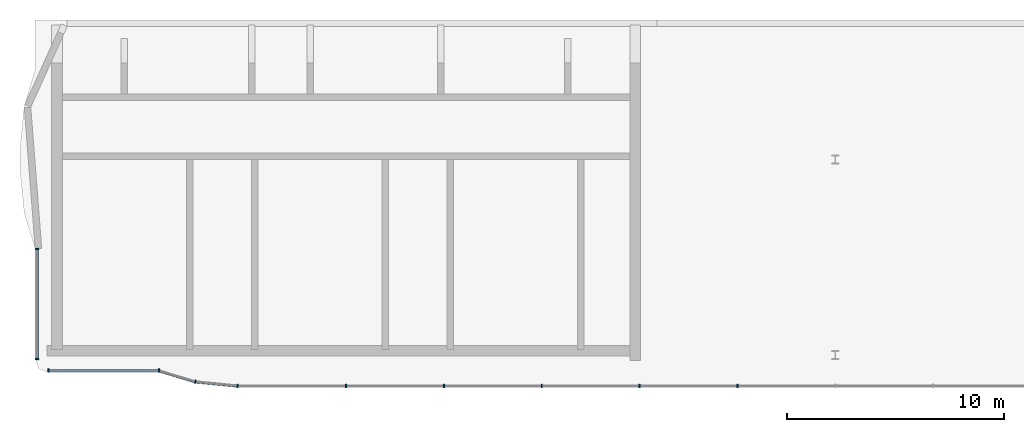
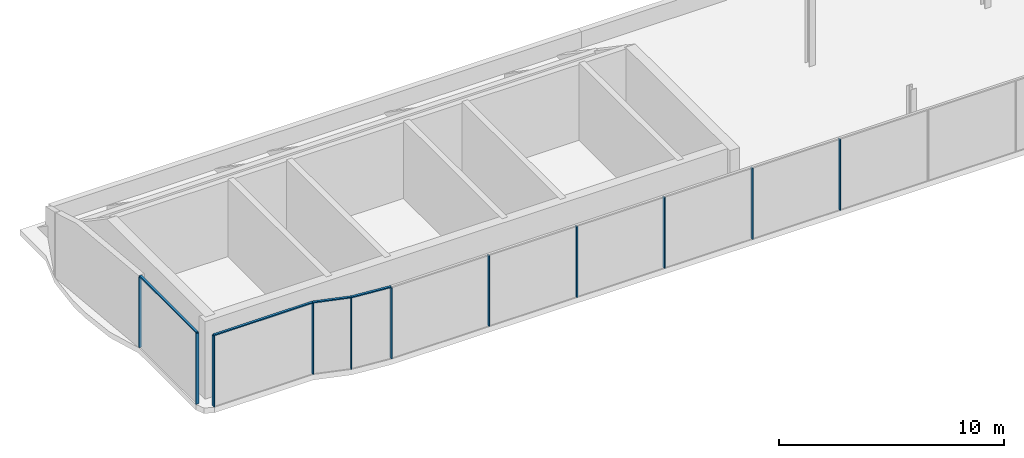
# One storey, part 2 of 5: 15 members, 5 elements without a shape of their own.
"""IFC4 building model written with IfcOpenShell, lengths in metres."""

import ifcopenshell
import ifcopenshell.guid

model = None  # the IFC model being written
_history = None  # IfcOwnerHistory: only IFC2X3 demands one
_inside = {}  # id of a spatial element -> (the spatial element, [elements in it])
_under = {}  # id of a project, library or spatial element -> (it, [spatial elements below it])
_declared = {}  # id of a project -> (the project, [libraries it declares])
_typed = {}  # id of a type object -> (the type object, [elements of that type])
_made_of = {}  # id of a material, layer set ... -> (it, [elements and type objects made of it])


def new_model(schema):
    """Start an empty IFC model of exactly this schema.

    Asked for "IFC4X3", IfcOpenShell would pick the latest addendum, in which some entities
    have other attributes; the version numbers below select the first issue.
    IFC2X3 requires an IfcOwnerHistory on every rooted entity: one is made here for all.
    """
    global model, _history
    if schema == "IFC4X3":
        model = ifcopenshell.file(schema_version=(4, 3, 0, 0))
    else:
        model = ifcopenshell.file(schema=schema)
    _inside.clear()
    _under.clear()
    _declared.clear()
    _typed.clear()
    _made_of.clear()
    _history = None
    if model.schema == "IFC2X3":
        org = make("IfcOrganization", Name="unknown")
        user = make(
            "IfcPersonAndOrganization",
            ThePerson=make("IfcPerson", FamilyName="unknown"),
            TheOrganization=org,
        )
        app = make(
            "IfcApplication",
            ApplicationDeveloper=org,
            Version="unknown",
            ApplicationFullName="unknown",
            ApplicationIdentifier="unknown",
        )
        _history = make(
            "IfcOwnerHistory",
            OwningUser=user,
            OwningApplication=app,
            ChangeAction="ADDED",
            CreationDate=0,
        )
    return model


def make(cls, **values):
    """One entity of the class cls with the attributes given. An attribute that is None is left unset."""
    return model.create_entity(
        cls, **{name: value for name, value in values.items() if value is not None}
    )


def rooted(cls, **values):
    """An entity with a GlobalId (a new one), such as an element, a storey or a relation."""
    return make(cls, GlobalId=ifcopenshell.guid.new(), OwnerHistory=_history, **values)


def si_unit(unit_type, name, prefix=None):
    """IfcSIUnit, for example si_unit("LENGTHUNIT", "METRE", prefix="MILLI")."""
    return make("IfcSIUnit", UnitType=unit_type, Prefix=prefix, Name=name)


def assignment(units):
    """IfcUnitAssignment: the units of a project."""
    return None if units is None else make("IfcUnitAssignment", Units=units)


def point(xyz):
    """IfcCartesianPoint."""
    return None if xyz is None else make("IfcCartesianPoint", Coordinates=xyz)


def direction(xyz):
    """IfcDirection."""
    return None if xyz is None else make("IfcDirection", DirectionRatios=xyz)


def frame(location, z_axis=None, x_axis=None):
    """IfcAxis2Placement3D, a coordinate frame: its origin and axes. An axis left out is left unset."""
    return make(
        "IfcAxis2Placement3D",
        Location=point(location),
        Axis=direction(z_axis),
        RefDirection=direction(x_axis),
    )


def frame_2d(location, x_axis=None):
    """IfcAxis2Placement2D, a coordinate frame in the plane: its origin and x axis."""
    return make(
        "IfcAxis2Placement2D", Location=point(location), RefDirection=direction(x_axis)
    )


def origin():
    """The frame at (0, 0, 0) with its axes left unset."""
    return frame((0.0, 0.0, 0.0))


def origin_2d():
    """The frame at (0, 0) in the plane with its x axis left unset."""
    return frame_2d((0.0, 0.0))


def place(relative_to, where):
    """IfcLocalPlacement: puts the frame where relative to a parent placement (None: the world)."""
    return make(
        "IfcLocalPlacement", PlacementRelTo=relative_to, RelativePlacement=where
    )


def context(
    kind, dimensions, precision=None, world=None, true_north=None, identifier=None
):
    """IfcGeometricRepresentationContext, for example the 3D "Model" context."""
    return make(
        "IfcGeometricRepresentationContext",
        ContextIdentifier=identifier,
        ContextType=kind,
        CoordinateSpaceDimension=dimensions,
        Precision=precision,
        WorldCoordinateSystem=world,
        TrueNorth=true_north,
    )


def subcontext(parent, identifier, kind, view, scale=None):
    """IfcGeometricRepresentationSubContext, for example "Body" below "Model"."""
    return make(
        "IfcGeometricRepresentationSubContext",
        ContextIdentifier=identifier,
        ContextType=kind,
        ParentContext=parent,
        TargetScale=scale,
        TargetView=view,
    )


def project(units=None, contexts=None):
    """IfcProject with its units and contexts."""
    return rooted(
        "IfcProject",
        Name="project",
        RepresentationContexts=contexts,
        UnitsInContext=assignment(units),
    )


def spatial(cls, under=None, at=None, **own):
    """A site, building, storey or space (cls), placed at a placement, below another one or the project."""
    s = rooted(cls, ObjectPlacement=at, **own)
    if under is not None:
        _under.setdefault(under.id(), (under, []))[1].append(s)
    return s


def profile(cls, at=None, kind="AREA", **sizes):
    """A parametric profile (cls). Its sizes go by their IFC names, for example OverallWidth=200.0."""
    return make(cls, ProfileType=kind, Position=at, **sizes)


def rectangle(**sizes):
    """IfcRectangleProfileDef."""
    return profile("IfcRectangleProfileDef", **sizes)


def extrude(swept, where, along, depth):
    """IfcExtrudedAreaSolid: the profile swept, set in the frame where, extruded along a direction by depth."""
    return make(
        "IfcExtrudedAreaSolid",
        SweptArea=swept,
        Position=where,
        ExtrudedDirection=direction(along),
        Depth=depth,
    )


def shape(context_of_items, identifier, shape_type, items):
    """IfcShapeRepresentation: the items that make up one representation, for example the "Body"."""
    return make(
        "IfcShapeRepresentation",
        ContextOfItems=context_of_items,
        RepresentationIdentifier=identifier,
        RepresentationType=shape_type,
        Items=items,
    )


def material(Name=None, Category=None):
    """IfcMaterial."""
    return make("IfcMaterial", Name=Name, Category=Category)


def material_profile(
    of_material, cross_section, Name=None, Category=None, Priority=None
):
    """IfcMaterialProfile: a cross section and its material."""
    return make(
        "IfcMaterialProfile",
        Name=Name,
        Material=of_material,
        Profile=cross_section,
        Priority=Priority,
        Category=Category,
    )


def profile_set(profiles, Name=None, composite=None):
    """IfcMaterialProfileSet."""
    return make(
        "IfcMaterialProfileSet",
        Name=Name,
        MaterialProfiles=profiles,
        CompositeProfile=composite,
    )


def made_of(thing, what):
    """Note that an element or type object is made of a material, layer set ...; save() writes the relation."""
    if what is not None:
        _made_of.setdefault(what.id(), (what, []))[1].append(thing)
    return thing


def type_object(cls, material=None, **own):
    """A type object (cls), such as IfcWallType, which elements share."""
    return made_of(rooted(cls, **own), material)


def element(
    cls,
    number,
    at=None,
    inside=None,
    cuts=None,
    type_object=None,
    material=None,
    context=None,
    identifier="Body",
    shape_type=None,
    held_by="IfcProductDefinitionShape",
    body=None,
    shapes=None,
    **own,
):
    """One element of the class cls, such as IfcWall. Its Tag is "e" and its number.

    at: its placement. inside: the storey or other place that contains it. cuts: it is an
    opening in that element (IfcRelVoidsElement). A single representation is given by context,
    identifier, shape_type and body (its items); several are given by shapes. held_by: the class
    of the entity that holds the representations. save() writes the other relations.
    """
    e = rooted(cls, Tag="e%d" % number, ObjectPlacement=at, **own)
    if body is not None:
        shapes = [shape(context, identifier, shape_type, body)]
    if shapes is not None:
        e.Representation = make(held_by, Representations=shapes)
    if inside is not None:
        _inside.setdefault(inside.id(), (inside, []))[1].append(e)
    if cuts is not None:
        rooted(
            "IfcRelVoidsElement", RelatingBuildingElement=cuts, RelatedOpeningElement=e
        )
    if type_object is not None:
        _typed.setdefault(type_object.id(), (type_object, []))[1].append(e)
    return made_of(e, material)


def aggregate(whole, parts):
    """IfcRelAggregates: a whole, such as a stair, and the parts it consists of."""
    return rooted("IfcRelAggregates", RelatingObject=whole, RelatedObjects=parts)


def save(model, path):
    """Write the relations noted so far, then the file.

    IfcRelAggregates (storeys below a building ...), IfcRelContainedInSpatialStructure (elements
    in a storey), IfcRelDefinesByType, IfcRelAssociatesMaterial and IfcRelDeclares: one each for
    every whole, place, type object, material and project.
    """
    for whole, parts in _under.values():
        aggregate(whole, parts)
    for where, things in _inside.values():
        rooted(
            "IfcRelContainedInSpatialStructure",
            RelatedElements=things,
            RelatingStructure=where,
        )
    for kind, things in _typed.values():
        rooted("IfcRelDefinesByType", RelatedObjects=things, RelatingType=kind)
    for what, things in _made_of.values():
        rooted("IfcRelAssociatesMaterial", RelatedObjects=things, RelatingMaterial=what)
    for by, libraries in _declared.values():
        rooted("IfcRelDeclares", RelatingContext=by, RelatedDefinitions=libraries)
    model.write(path)


model = new_model("IFC4")

# Units and contexts
model_context = context("Model", 3, precision=1e-05, world=origin(), true_north=direction((0.0, 1.0)))
body_context = subcontext(model_context, "Body", "Model", "MODEL_VIEW")
ifc_project = project(units=[si_unit("LENGTHUNIT", "METRE"), si_unit("AREAUNIT", "SQUARE_METRE"), si_unit("VOLUMEUNIT", "CUBIC_METRE"), si_unit("PLANEANGLEUNIT", "RADIAN"), si_unit("MASSUNIT", "GRAM", prefix="KILO")], contexts=[model_context])

# Site, building, storey
site_placement = place(None, origin())
site = spatial("IfcSite", under=ifc_project, at=site_placement, CompositionType="ELEMENT")
building_placement = place(site_placement, origin())
building = spatial("IfcBuilding", under=site, at=building_placement, Name="Ogive Portal Towers", CompositionType="ELEMENT")
storey_placement = place(building_placement, frame((0.0, 0.0, 285.5)))
storey = spatial("IfcBuildingStorey", under=building, at=storey_placement, Name="L69", CompositionType="ELEMENT", Elevation=285.5)

# Curtain wall, members
ifc_material_1 = material(Name="Glass, clear low-iron insulated glazing", Category="glass")
curtain_wall_type = type_object("IfcCurtainWallType", Name="CW CROWN GLAZING", PredefinedType="NOTDEFINED", material=ifc_material_1)
curtain_wall_1_placement = place(storey_placement, origin())
curtain_wall_1 = element("IfcCurtainWall", 1, at=curtain_wall_1_placement, inside=storey, type_object=curtain_wall_type, Name="A:L69:c04:cw", PredefinedType="NOTDEFINED")
ifc_material_2 = material(Name="Aluminium 6063 anodised", Category="aluminium")
ifc_material_profile_1 = material_profile(ifc_material_2, rectangle(XDim=0.159912109375, YDim=0.06005859375, at=origin_2d()), Name="AL 60x160")
ifc_profile_set_1 = profile_set([ifc_material_profile_1], Name="Aluminium 6063 anodised")
member_type_1 = type_object("IfcMemberType", Name="CW MULLION 60x160", PredefinedType="MULLION", material=ifc_profile_set_1)
member_1_placement = place(storey_placement, frame((30.780029296875, 26.3779296875, 0.0), z_axis=(0.0, 0.0, 1.0), x_axis=(1.0, 0.0, 0.0)))
member_1 = element("IfcMember", 2, at=member_1_placement, type_object=member_type_1, Name="mullion", PredefinedType="MULLION", context=body_context, shape_type="SweptSolid", body=[
    extrude(rectangle(XDim=0.159912109375, YDim=0.06005859375, at=origin_2d()), origin(), (0.0, 0.0, 1.0), 3.840087890625),
])
member_2_placement = place(storey_placement, frame((30.780029296875, 21.31591796875, 0.0), z_axis=(0.0, 0.0, 1.0), x_axis=(1.0, 0.0, 0.0)))
member_2 = element("IfcMember", 3, at=member_2_placement, type_object=member_type_1, Name="mullion", PredefinedType="MULLION", context=body_context, shape_type="SweptSolid", body=[
    extrude(rectangle(XDim=0.159912109375, YDim=0.06005859375, at=origin_2d()), origin(), (0.0, 0.0, 1.0), 3.840087890625),
])

curtain_wall_2_placement = place(storey_placement, origin())
curtain_wall_2 = element("IfcCurtainWall", 4, at=curtain_wall_2_placement, inside=storey, type_object=curtain_wall_type, Name="A:L69:c07:cw", PredefinedType="NOTDEFINED")
member_3_placement = place(storey_placement, frame((31.31591796875, 20.780029296875, 0.0), z_axis=(0.0, 0.0, 1.0), x_axis=(0.0, 1.0, 0.0)))
member_3 = element("IfcMember", 5, at=member_3_placement, type_object=member_type_1, Name="mullion", PredefinedType="MULLION", context=body_context, shape_type="SweptSolid", body=[
    extrude(rectangle(XDim=0.159912109375, YDim=0.06005859375, at=origin_2d()), origin(), (0.0, 0.0, 1.0), 3.840087890625),
])
member_4_placement = place(storey_placement, frame((36.38671875, 20.780029296875, 0.0), z_axis=(0.0, 0.0, 1.0), x_axis=(0.0, 1.0, 0.0)))
member_4 = element("IfcMember", 6, at=member_4_placement, type_object=member_type_1, Name="mullion", PredefinedType="MULLION", context=body_context, shape_type="SweptSolid", body=[
    extrude(rectangle(XDim=0.159912109375, YDim=0.06005859375, at=origin_2d()), origin(), (0.0, 0.0, 1.0), 3.840087890625),
])

# Curtain wall, member
curtain_wall_3_placement = place(storey_placement, origin())
curtain_wall_3 = element("IfcCurtainWall", 7, at=curtain_wall_3_placement, inside=storey, type_object=curtain_wall_type, Name="A:L69:c08:cw", PredefinedType="NOTDEFINED")
member_5_placement = place(storey_placement, frame((38.064697265625, 20.27099609375, 0.0), z_axis=(0.0, 0.0, 1.0), x_axis=(0.290284677254, 0.956940335732, 0.0)))
member_5 = element("IfcMember", 8, at=member_5_placement, type_object=member_type_1, Name="mullion", PredefinedType="MULLION", context=body_context, shape_type="SweptSolid", body=[
    extrude(rectangle(XDim=0.159912109375, YDim=0.06005859375, at=origin_2d()), origin(), (0.0, 0.0, 1.0), 3.840087890625),
])

curtain_wall_4_placement = place(storey_placement, origin())
curtain_wall_4 = element("IfcCurtainWall", 9, at=curtain_wall_4_placement, inside=storey, type_object=curtain_wall_type, Name="A:L69:c09:cw", PredefinedType="NOTDEFINED")
member_6_placement = place(storey_placement, frame((40.00390625, 20.080078125, 0.0), z_axis=(0.0, 0.0, 1.0), x_axis=(0.09801714033, 0.995184726672, 0.0)))
member_6 = element("IfcMember", 10, at=member_6_placement, type_object=member_type_1, Name="mullion", PredefinedType="MULLION", context=body_context, shape_type="SweptSolid", body=[
    extrude(rectangle(XDim=0.159912109375, YDim=0.06005859375, at=origin_2d()), origin(), (0.0, 0.0, 1.0), 3.840087890625),
])

# Curtain wall, members
curtain_wall_5_placement = place(storey_placement, origin())
curtain_wall_5 = element("IfcCurtainWall", 11, at=curtain_wall_5_placement, inside=storey, type_object=curtain_wall_type, Name="A:L69:c10:cw", PredefinedType="NOTDEFINED")
member_7_placement = place(storey_placement, frame((45.0, 20.080078125, 0.0), z_axis=(0.0, 0.0, 1.0), x_axis=(0.0, 1.0, 0.0)))
member_7 = element("IfcMember", 12, at=member_7_placement, type_object=member_type_1, Name="mullion", PredefinedType="MULLION", context=body_context, shape_type="SweptSolid", body=[
    extrude(rectangle(XDim=0.159912109375, YDim=0.06005859375, at=origin_2d()), origin(), (0.0, 0.0, 1.0), 3.840087890625),
])
member_8_placement = place(storey_placement, frame((49.5, 20.080078125, 0.0), z_axis=(0.0, 0.0, 1.0), x_axis=(0.0, 1.0, 0.0)))
member_8 = element("IfcMember", 13, at=member_8_placement, type_object=member_type_1, Name="mullion", PredefinedType="MULLION", context=body_context, shape_type="SweptSolid", body=[
    extrude(rectangle(XDim=0.159912109375, YDim=0.06005859375, at=origin_2d()), origin(), (0.0, 0.0, 1.0), 3.840087890625),
])
member_9_placement = place(storey_placement, frame((54.0, 20.080078125, 0.0), z_axis=(0.0, 0.0, 1.0), x_axis=(0.0, 1.0, 0.0)))
member_9 = element("IfcMember", 14, at=member_9_placement, type_object=member_type_1, Name="mullion", PredefinedType="MULLION", context=body_context, shape_type="SweptSolid", body=[
    extrude(rectangle(XDim=0.159912109375, YDim=0.06005859375, at=origin_2d()), origin(), (0.0, 0.0, 1.0), 3.840087890625),
])
member_10_placement = place(storey_placement, frame((58.5, 20.080078125, 0.0), z_axis=(0.0, 0.0, 1.0), x_axis=(0.0, 1.0, 0.0)))
member_10 = element("IfcMember", 15, at=member_10_placement, type_object=member_type_1, Name="mullion", PredefinedType="MULLION", context=body_context, shape_type="SweptSolid", body=[
    extrude(rectangle(XDim=0.159912109375, YDim=0.06005859375, at=origin_2d()), origin(), (0.0, 0.0, 1.0), 3.840087890625),
])
member_11_placement = place(storey_placement, frame((63.0, 20.080078125, 0.0), z_axis=(0.0, 0.0, 1.0), x_axis=(0.0, 1.0, 0.0)))
member_11 = element("IfcMember", 16, at=member_11_placement, type_object=member_type_1, Name="mullion", PredefinedType="MULLION", context=body_context, shape_type="SweptSolid", body=[
    extrude(rectangle(XDim=0.159912109375, YDim=0.06005859375, at=origin_2d()), origin(), (0.0, 0.0, 1.0), 3.840087890625),
])
aggregate(curtain_wall_5, [member_7, member_8, member_9, member_10, member_11])

# Member
ifc_material_profile_2 = material_profile(ifc_material_2, rectangle(XDim=0.1201171875, YDim=0.06005859375, at=origin_2d()), Name="AL 120x60")
ifc_profile_set_2 = profile_set([ifc_material_profile_2], Name="Aluminium 6063 anodised")
member_type_2 = type_object("IfcMemberType", Name="CW TRANSOM 60x120", PredefinedType="USERDEFINED", material=ifc_profile_set_2)
member_12_placement = place(storey_placement, frame((30.780029296875, 26.3779296875, 3.8701171875), z_axis=(0.0, -1.0, 0.0), x_axis=(1.0, 0.0, 0.0)))
member_12 = element("IfcMember", 17, at=member_12_placement, type_object=member_type_2, Name="transom", ObjectType="TRANSOM", PredefinedType="USERDEFINED", context=body_context, shape_type="SweptSolid", body=[
    extrude(rectangle(XDim=0.1201171875, YDim=0.06005859375, at=origin_2d()), origin(), (0.0, 0.0, 1.0), 5.06201171875),
])

aggregate(curtain_wall_1, [member_12, member_1, member_2])

member_13_placement = place(storey_placement, frame((31.31591796875, 20.780029296875, 3.8701171875), z_axis=(1.0, 0.0, 0.0), x_axis=(0.0, 1.0, 0.0)))
member_13 = element("IfcMember", 18, at=member_13_placement, type_object=member_type_2, Name="transom", ObjectType="TRANSOM", PredefinedType="USERDEFINED", context=body_context, shape_type="SweptSolid", body=[
    extrude(rectangle(XDim=0.1201171875, YDim=0.06005859375, at=origin_2d()), origin(), (0.0, 0.0, 1.0), 5.07080078125),
])

aggregate(curtain_wall_2, [member_13, member_3, member_4])

member_14_placement = place(storey_placement, frame((36.38671875, 20.780029296875, 3.8701171875), z_axis=(0.956936535945, -0.290297203178, 0.0), x_axis=(0.290297203178, 0.956936535945, 0.0)))
member_14 = element("IfcMember", 19, at=member_14_placement, type_object=member_type_2, Name="transom", ObjectType="TRANSOM", PredefinedType="USERDEFINED", context=body_context, shape_type="SweptSolid", body=[
    extrude(rectangle(XDim=0.1201171875, YDim=0.06005859375, at=origin_2d()), origin(), (0.0, 0.0, 1.0), 1.75341796875),
])

aggregate(curtain_wall_3, [member_14, member_5])

member_15_placement = place(storey_placement, frame((38.064697265625, 20.27099609375, 3.8701171875), z_axis=(0.995188602778, -0.097977777587, 0.0), x_axis=(0.097977777587, 0.995188602778, 0.0)))
member_15 = element("IfcMember", 20, at=member_15_placement, type_object=member_type_2, Name="transom", ObjectType="TRANSOM", PredefinedType="USERDEFINED", context=body_context, shape_type="SweptSolid", body=[
    extrude(rectangle(XDim=0.1201171875, YDim=0.06005859375, at=origin_2d()), origin(), (0.0, 0.0, 1.0), 1.948486328125),
])

aggregate(curtain_wall_4, [member_15, member_6])

save(model, "model.ifc")
